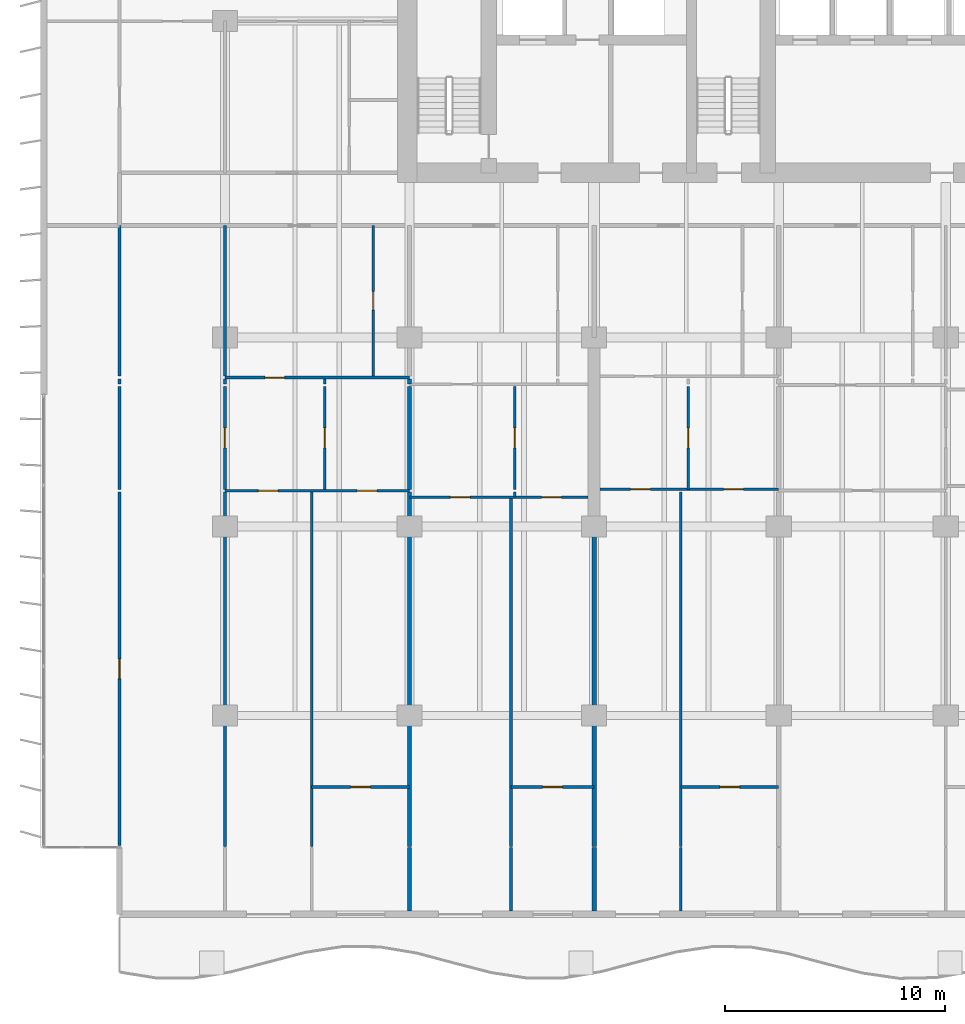
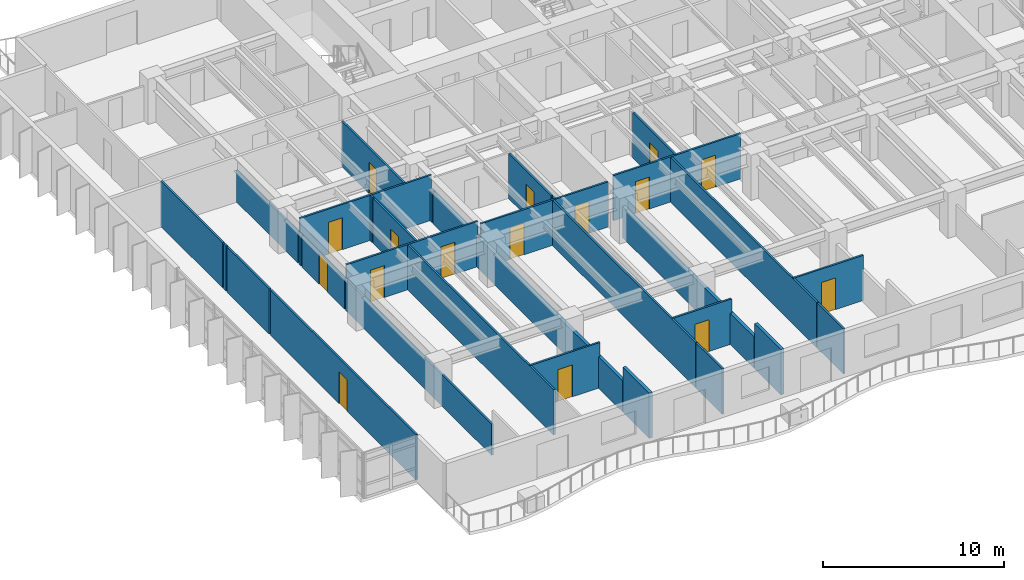
# One storey, part 6 of 17: 32 walls, 16 doors, 16 openings.
"""IFC4 building model written with IfcOpenShell, lengths in metres."""

from ifc_helpers import new_model, si_unit, direction, frame, frame_2d, origin, place, context, subcontext, project, spatial, rectangle, extrude, material, layer, layer_set, type_object, element, fill, save


model = new_model("IFC4")

# Units and contexts
model_context = context("Model", 3, precision=1e-05, world=origin(), true_north=direction((0.0, 1.0)))
body_context = subcontext(model_context, "Body", "Model", "MODEL_VIEW")
ifc_project = project(units=[si_unit("LENGTHUNIT", "METRE"), si_unit("AREAUNIT", "SQUARE_METRE"), si_unit("VOLUMEUNIT", "CUBIC_METRE"), si_unit("PLANEANGLEUNIT", "RADIAN"), si_unit("MASSUNIT", "GRAM", prefix="KILO")], contexts=[model_context])

# Site, building, storey
site_placement = place(None, origin())
site = spatial("IfcSite", under=ifc_project, at=site_placement, CompositionType="ELEMENT")
building_placement = place(site_placement, origin())
building = spatial("IfcBuilding", under=site, at=building_placement, Name="Caelmar Bay Residences", CompositionType="ELEMENT")
storey_placement = place(building_placement, frame((0.0, 0.0, 33.300048828125)))
storey = spatial("IfcBuildingStorey", under=building, at=storey_placement, Name="L07", CompositionType="ELEMENT", Elevation=33.300048828125)

# Wall, opening, door
ifc_material_1 = material(Name="Acoustic metal-stud gypsum partition 120 mm")
ifc_layer_1 = layer(ifc_material_1, 0.1201171875)
ifc_layer_set_1 = layer_set([ifc_layer_1], Name="Acoustic metal-stud gypsum partition 120 mm")
wall_type_1 = type_object("IfcWallType", Name="W-PRT-120", PredefinedType="PARTITIONING", material=ifc_layer_set_1)
wall_1_placement = place(storey_placement, frame((5.10009765625, 6.284912109375, 0.0), z_axis=(0.0, 0.0, 1.0), x_axis=(0.0, 1.0, 0.0)))
wall_1 = element("IfcWall", 1, at=wall_1_placement, inside=storey, type_object=wall_type_1, Name="L07 Partition Wall V001", PredefinedType="PARTITIONING", context=body_context, shape_type="SweptSolid", body=[
    extrude(rectangle(XDim=16.085205078125, YDim=0.1201171875, at=frame_2d((8.04248046875, 0.0))), origin(), (0.0, 0.0, 1.0), 3.050048828125),
])
opening_1_placement = place(wall_1_placement, frame((7.592529296875, 0.0, 0.0)))
opening_1 = element("IfcOpeningElement", 2, at=opening_1_placement, cuts=wall_1, Name="Opening D-L07-165", PredefinedType="OPENING", context=body_context, shape_type="SweptSolid", body=[
    extrude(rectangle(XDim=0.89990234375, YDim=2.14990234375, at=frame_2d((0.449951171875, 1.074951171875))), frame((0.0, 0.070068359375, 0.0), z_axis=(0.0, -1.0, 0.0), x_axis=(1.0, 0.0, 0.0)), (0.0, 0.0, 1.0), 0.14013671875),
])
ifc_material_2 = material(Name="Solid walnut timber interior door leaf and frame", Category="wood")
ifc_layer_2 = layer(ifc_material_2, 0.050048828125)
ifc_layer_set_2 = layer_set([ifc_layer_2], Name="Solid walnut timber interior door leaf and frame")
door_type_1 = type_object("IfcDoorType", Name="D-ROOM-900", OperationType="NOTDEFINED", PredefinedType="DOOR", material=ifc_layer_set_2)
door_1_placement = place(opening_1_placement, origin())
door_1 = element("IfcDoor", 3, at=door_1_placement, inside=storey, type_object=door_type_1, Name="L07 Residence 01 Penthouse West Salon Door", OperationType="SINGLE_SWING_RIGHT", OverallHeight=2.14990234375, OverallWidth=0.89990234375, PredefinedType="DOOR", context=body_context, shape_type="SweptSolid", body=[
    extrude(rectangle(XDim=0.89990234375, YDim=2.14990234375, at=frame_2d((0.449951171875, 1.074951171875))), frame((0.0, 0.02490234375, 0.0), z_axis=(0.0, -1.0, 0.0), x_axis=(1.0, 0.0, 0.0)), (0.0, 0.0, 1.0), 0.050048828125),
])
fill(opening_1, door_1)

# Walls
wall_2_placement = place(storey_placement, frame((5.10009765625, 22.489990234375, 0.0), z_axis=(0.0, 0.0, 1.0), x_axis=(0.0, 1.0, 0.0)))
element("IfcWall", 4, at=wall_2_placement, inside=storey, type_object=wall_type_1, Name="L07 Partition Wall V002", PredefinedType="PARTITIONING", context=body_context, shape_type="SweptSolid", body=[
    extrude(rectangle(XDim=4.68994140625, YDim=0.1201171875, at=frame_2d((2.344970703125, 0.0))), origin(), (0.0, 0.0, 1.0), 3.050048828125),
])
wall_3_placement = place(storey_placement, frame((5.10009765625, 27.280029296875, 0.0), z_axis=(0.0, 0.0, 1.0), x_axis=(0.0, 1.0, 0.0)))
element("IfcWall", 5, at=wall_3_placement, inside=storey, type_object=wall_type_1, Name="L07 Partition Wall V003", PredefinedType="PARTITIONING", context=body_context, shape_type="SweptSolid", body=[
    extrude(rectangle(XDim=0.239990234375, YDim=0.1201171875, at=frame_2d((0.1201171875, 0.0))), origin(), (0.0, 0.0, 1.0), 3.050048828125),
])
wall_4_placement = place(storey_placement, frame((5.10009765625, 27.639892578125, 0.0), z_axis=(0.0, 0.0, 1.0), x_axis=(0.0, 1.0, 0.0)))
element("IfcWall", 6, at=wall_4_placement, inside=storey, type_object=wall_type_1, Name="L07 Partition Wall V004", PredefinedType="PARTITIONING", context=body_context, shape_type="SweptSolid", body=[
    extrude(rectangle(XDim=6.860107421875, YDim=0.1201171875, at=frame_2d((3.43017578125, 0.0))), origin(), (0.0, 0.0, 1.0), 3.050048828125),
])
wall_5_placement = place(storey_placement, frame((9.89990234375, 6.239990234375, 0.0), z_axis=(0.0, 0.0, 1.0), x_axis=(0.0, 1.0, 0.0)))
element("IfcWall", 7, at=wall_5_placement, inside=storey, type_object=wall_type_1, Name="L07 Partition Wall V008", PredefinedType="PARTITIONING", context=body_context, shape_type="SweptSolid", body=[
    extrude(rectangle(XDim=16.130126953125, YDim=0.1201171875, at=frame_2d((8.06494140625, 0.0))), origin(), (0.0, 0.0, 1.0), 2.10986328125),
])

# Wall, opening, door
wall_6_placement = place(storey_placement, frame((9.89990234375, 22.489990234375, 0.0), z_axis=(0.0, 0.0, 1.0), x_axis=(0.0, 1.0, 0.0)))
wall_6 = element("IfcWall", 8, at=wall_6_placement, inside=storey, type_object=wall_type_1, Name="L07 Partition Wall V009", PredefinedType="PARTITIONING", context=body_context, shape_type="SweptSolid", body=[
    extrude(rectangle(XDim=4.68994140625, YDim=0.1201171875, at=frame_2d((2.344970703125, 0.0))), origin(), (0.0, 0.0, 1.0), 2.10986328125),
])
opening_2_placement = place(wall_6_placement, frame((1.89501953125, 0.0, 0.0)))
opening_2 = element("IfcOpeningElement", 9, at=opening_2_placement, cuts=wall_6, Name="Opening D-L07-126", PredefinedType="OPENING", context=body_context, shape_type="SweptSolid", body=[
    extrude(rectangle(XDim=0.89990234375, YDim=2.06005859375, at=frame_2d((0.449951171875, 1.030029296875))), frame((0.0, 0.070068359375, 0.0), z_axis=(0.0, -1.0, 0.0), x_axis=(1.0, 0.0, 0.0)), (0.0, 0.0, 1.0), 0.14013671875),
])
door_2_placement = place(opening_2_placement, origin())
door_2 = element("IfcDoor", 10, at=door_2_placement, inside=storey, type_object=door_type_1, Name="L07 Residence 01 West Apartment Hall Door", OperationType="SINGLE_SWING_LEFT", OverallHeight=2.06005859375, OverallWidth=0.89990234375, PredefinedType="DOOR", context=body_context, shape_type="SweptSolid", body=[
    extrude(rectangle(XDim=0.89990234375, YDim=2.06005859375, at=frame_2d((0.449951171875, 1.030029296875))), frame((0.0, 0.02490234375, 0.0), z_axis=(0.0, -1.0, 0.0), x_axis=(1.0, 0.0, 0.0)), (0.0, 0.0, 1.0), 0.050048828125),
])
fill(opening_2, door_2)

# Walls
wall_7_placement = place(storey_placement, frame((9.89990234375, 27.280029296875, 0.0), z_axis=(0.0, 0.0, 1.0), x_axis=(0.0, 1.0, 0.0)))
element("IfcWall", 11, at=wall_7_placement, inside=storey, type_object=wall_type_1, Name="L07 Partition Wall V010", PredefinedType="PARTITIONING", context=body_context, shape_type="SweptSolid", body=[
    extrude(rectangle(XDim=0.239990234375, YDim=0.1201171875, at=frame_2d((0.1201171875, 0.0))), origin(), (0.0, 0.0, 1.0), 2.10986328125),
])
wall_8_placement = place(storey_placement, frame((9.89990234375, 27.639892578125, 0.0), z_axis=(0.0, 0.0, 1.0), x_axis=(0.0, 1.0, 0.0)))
element("IfcWall", 12, at=wall_8_placement, inside=storey, type_object=wall_type_1, Name="L07 Partition Wall V011", PredefinedType="PARTITIONING", context=body_context, shape_type="SweptSolid", body=[
    extrude(rectangle(XDim=6.860107421875, YDim=0.1201171875, at=frame_2d((3.43017578125, 0.0))), origin(), (0.0, 0.0, 1.0), 2.10986328125),
])
wall_9_placement = place(storey_placement, frame((13.847900390625, 6.239990234375, 0.0), z_axis=(0.0, 0.0, 1.0), x_axis=(0.0, 1.0, 0.0)))
element("IfcWall", 13, at=wall_9_placement, inside=storey, type_object=wall_type_1, Name="L07 Partition Wall V014", PredefinedType="PARTITIONING", context=body_context, shape_type="SweptSolid", body=[
    extrude(rectangle(XDim=16.130126953125, YDim=0.1201171875, at=frame_2d((8.06494140625, 0.0))), origin(), (0.0, 0.0, 1.0), 3.050048828125),
])

# Wall, opening, door
wall_10_placement = place(storey_placement, frame((14.43603515625, 22.489990234375, 0.0), z_axis=(0.0, 0.0, 1.0), x_axis=(0.0, 1.0, 0.0)))
wall_10 = element("IfcWall", 14, at=wall_10_placement, inside=storey, type_object=wall_type_1, Name="L07 Partition Wall V015", PredefinedType="PARTITIONING", context=body_context, shape_type="SweptSolid", body=[
    extrude(rectangle(XDim=4.68994140625, YDim=0.1201171875, at=frame_2d((2.344970703125, 0.0))), origin(), (0.0, 0.0, 1.0), 3.050048828125),
])
opening_3_placement = place(wall_10_placement, frame((1.89501953125, 0.0, 0.0)))
opening_3 = element("IfcOpeningElement", 15, at=opening_3_placement, cuts=wall_10, Name="Opening D-L07-122", PredefinedType="OPENING", context=body_context, shape_type="SweptSolid", body=[
    extrude(rectangle(XDim=0.89990234375, YDim=2.14990234375, at=frame_2d((0.449951171875, 1.074951171875))), frame((0.0, 0.070068359375, 0.0), z_axis=(0.0, -1.0, 0.0), x_axis=(1.0, 0.0, 0.0)), (0.0, 0.0, 1.0), 0.14013671875),
])
door_3_placement = place(opening_3_placement, origin())
door_3 = element("IfcDoor", 16, at=door_3_placement, inside=storey, type_object=door_type_1, Name="L07 Residence 01 Study Door", OperationType="SINGLE_SWING_LEFT", OverallHeight=2.14990234375, OverallWidth=0.89990234375, PredefinedType="DOOR", context=body_context, shape_type="SweptSolid", body=[
    extrude(rectangle(XDim=0.89990234375, YDim=2.14990234375, at=frame_2d((0.449951171875, 1.074951171875))), frame((0.0, 0.02490234375, 0.0), z_axis=(0.0, -1.0, 0.0), x_axis=(1.0, 0.0, 0.0)), (0.0, 0.0, 1.0), 0.050048828125),
])
fill(opening_3, door_3)

# Wall
wall_11_placement = place(storey_placement, frame((14.43603515625, 27.280029296875, 0.0), z_axis=(0.0, 0.0, 1.0), x_axis=(0.0, 1.0, 0.0)))
element("IfcWall", 17, at=wall_11_placement, inside=storey, type_object=wall_type_1, Name="L07 Partition Wall V016", PredefinedType="PARTITIONING", context=body_context, shape_type="SweptSolid", body=[
    extrude(rectangle(XDim=0.239990234375, YDim=0.1201171875, at=frame_2d((0.1201171875, 0.0))), origin(), (0.0, 0.0, 1.0), 3.050048828125),
])

# Wall, opening, door
wall_12_placement = place(storey_placement, frame((16.64990234375, 27.639892578125, 0.0), z_axis=(0.0, 0.0, 1.0), x_axis=(0.0, 1.0, 0.0)))
wall_12 = element("IfcWall", 18, at=wall_12_placement, inside=storey, type_object=wall_type_1, Name="L07 Partition Wall V018", PredefinedType="PARTITIONING", context=body_context, shape_type="SweptSolid", body=[
    extrude(rectangle(XDim=6.860107421875, YDim=0.1201171875, at=frame_2d((3.43017578125, 0.0))), origin(), (0.0, 0.0, 1.0), 3.050048828125),
])
opening_4_placement = place(wall_12_placement, frame((3.0048828125, 0.0, 0.0)))
opening_4 = element("IfcOpeningElement", 19, at=opening_4_placement, cuts=wall_12, Name="Opening D-L07-120", PredefinedType="OPENING", context=body_context, shape_type="SweptSolid", body=[
    extrude(rectangle(XDim=0.85009765625, YDim=2.10009765625, at=frame_2d((0.425048828125, 1.050048828125))), frame((0.0, 0.070068359375, 0.0), z_axis=(0.0, -1.0, 0.0), x_axis=(1.0, 0.0, 0.0)), (0.0, 0.0, 1.0), 0.14013671875),
])
ifc_layer_3 = layer(ifc_material_2, 0.050048828125)
ifc_layer_set_3 = layer_set([ifc_layer_3], Name="Solid walnut timber interior door leaf and frame")
door_type_2 = type_object("IfcDoorType", Name="D-BATH-850", OperationType="NOTDEFINED", PredefinedType="DOOR", material=ifc_layer_set_3)
door_4_placement = place(opening_4_placement, origin())
door_4 = element("IfcDoor", 20, at=door_4_placement, inside=storey, type_object=door_type_2, Name="L07 Residence 01 Bathroom Door", OperationType="SINGLE_SWING_LEFT", OverallHeight=2.10009765625, OverallWidth=0.85009765625, PredefinedType="DOOR", context=body_context, shape_type="SweptSolid", body=[
    extrude(rectangle(XDim=0.85009765625, YDim=2.10009765625, at=frame_2d((0.425048828125, 1.050048828125))), frame((0.0, 0.02490234375, 0.0), z_axis=(0.0, -1.0, 0.0), x_axis=(1.0, 0.0, 0.0)), (0.0, 0.0, 1.0), 0.050048828125),
])
fill(opening_4, door_4)

# Walls
wall_13_placement = place(storey_placement, frame((22.919921875, 3.294921875, 0.0), z_axis=(0.0, 0.0, 1.0), x_axis=(0.0, 1.0, 0.0)))
element("IfcWall", 21, at=wall_13_placement, inside=storey, type_object=wall_type_1, Name="L07 Partition Wall V025", PredefinedType="PARTITIONING", context=body_context, shape_type="SweptSolid", body=[
    extrude(rectangle(XDim=2.905029296875, YDim=0.1201171875, at=frame_2d((1.45263671875, 0.0))), origin(), (0.0, 0.0, 1.0), 3.050048828125),
])
wall_14_placement = place(storey_placement, frame((22.919921875, 6.239990234375, 0.0), z_axis=(0.0, 0.0, 1.0), x_axis=(0.0, 1.0, 0.0)))
element("IfcWall", 22, at=wall_14_placement, inside=storey, type_object=wall_type_1, Name="L07 Partition Wall V026", PredefinedType="PARTITIONING", context=body_context, shape_type="SweptSolid", body=[
    extrude(rectangle(XDim=15.889892578125, YDim=0.1201171875, at=frame_2d((7.94482421875, 0.0))), origin(), (0.0, 0.0, 1.0), 3.050048828125),
])
wall_15_placement = place(storey_placement, frame((23.0859375, 22.135009765625, 0.0), z_axis=(0.0, 0.0, 1.0), x_axis=(0.0, 1.0, 0.0)))
element("IfcWall", 23, at=wall_15_placement, inside=storey, type_object=wall_type_1, Name="L07 Partition Wall V027", PredefinedType="PARTITIONING", context=body_context, shape_type="SweptSolid", body=[
    extrude(rectangle(XDim=0.235107421875, YDim=0.1201171875, at=frame_2d((0.11767578125, 0.0))), origin(), (0.0, 0.0, 1.0), 3.050048828125),
])

# Wall, opening, door
wall_16_placement = place(storey_placement, frame((23.0859375, 22.489990234375, 0.0), z_axis=(0.0, 0.0, 1.0), x_axis=(0.0, 1.0, 0.0)))
wall_16 = element("IfcWall", 24, at=wall_16_placement, inside=storey, type_object=wall_type_1, Name="L07 Partition Wall V028", PredefinedType="PARTITIONING", context=body_context, shape_type="SweptSolid", body=[
    extrude(rectangle(XDim=4.68994140625, YDim=0.1201171875, at=frame_2d((2.344970703125, 0.0))), origin(), (0.0, 0.0, 1.0), 3.050048828125),
])
opening_5_placement = place(wall_16_placement, frame((1.89501953125, 0.0, 0.0)))
opening_5 = element("IfcOpeningElement", 25, at=opening_5_placement, cuts=wall_16, Name="Opening D-L07-130", PredefinedType="OPENING", context=body_context, shape_type="SweptSolid", body=[
    extrude(rectangle(XDim=0.89990234375, YDim=2.14990234375, at=frame_2d((0.449951171875, 1.074951171875))), frame((0.0, 0.070068359375, 0.0), z_axis=(0.0, -1.0, 0.0), x_axis=(1.0, 0.0, 0.0)), (0.0, 0.0, 1.0), 0.14013671875),
])
door_5_placement = place(opening_5_placement, origin())
door_5 = element("IfcDoor", 26, at=door_5_placement, inside=storey, type_object=door_type_1, Name="L07 Residence 02 Study Door", OperationType="SINGLE_SWING_LEFT", OverallHeight=2.14990234375, OverallWidth=0.89990234375, PredefinedType="DOOR", context=body_context, shape_type="SweptSolid", body=[
    extrude(rectangle(XDim=0.89990234375, YDim=2.14990234375, at=frame_2d((0.449951171875, 1.074951171875))), frame((0.0, 0.02490234375, 0.0), z_axis=(0.0, -1.0, 0.0), x_axis=(1.0, 0.0, 0.0)), (0.0, 0.0, 1.0), 0.050048828125),
])
fill(opening_5, door_5)

# Walls
wall_17_placement = place(storey_placement, frame((30.64794921875, 3.294921875, 0.0), z_axis=(0.0, 0.0, 1.0), x_axis=(0.0, 1.0, 0.0)))
element("IfcWall", 27, at=wall_17_placement, inside=storey, type_object=wall_type_1, Name="L07 Partition Wall V037", PredefinedType="PARTITIONING", context=body_context, shape_type="SweptSolid", body=[
    extrude(rectangle(XDim=2.905029296875, YDim=0.1201171875, at=frame_2d((1.45263671875, 0.0))), origin(), (0.0, 0.0, 1.0), 3.050048828125),
])
wall_18_placement = place(storey_placement, frame((30.64794921875, 6.239990234375, 0.0), z_axis=(0.0, 0.0, 1.0), x_axis=(0.0, 1.0, 0.0)))
element("IfcWall", 28, at=wall_18_placement, inside=storey, type_object=wall_type_1, Name="L07 Partition Wall V038", PredefinedType="PARTITIONING", context=body_context, shape_type="SweptSolid", body=[
    extrude(rectangle(XDim=16.130126953125, YDim=0.1201171875, at=frame_2d((8.06494140625, 0.0))), origin(), (0.0, 0.0, 1.0), 3.050048828125),
])

# Wall, opening, door
wall_19_placement = place(storey_placement, frame((30.986083984375, 22.489990234375, 0.0), z_axis=(0.0, 0.0, 1.0), x_axis=(0.0, 1.0, 0.0)))
wall_19 = element("IfcWall", 29, at=wall_19_placement, inside=storey, type_object=wall_type_1, Name="L07 Partition Wall V039", PredefinedType="PARTITIONING", context=body_context, shape_type="SweptSolid", body=[
    extrude(rectangle(XDim=4.68994140625, YDim=0.1201171875, at=frame_2d((2.344970703125, 0.0))), origin(), (0.0, 0.0, 1.0), 3.050048828125),
])
opening_6_placement = place(wall_19_placement, frame((1.89501953125, 0.0, 0.0)))
opening_6 = element("IfcOpeningElement", 30, at=opening_6_placement, cuts=wall_19, Name="Opening D-L07-137", PredefinedType="OPENING", context=body_context, shape_type="SweptSolid", body=[
    extrude(rectangle(XDim=0.89990234375, YDim=2.14990234375, at=frame_2d((0.449951171875, 1.074951171875))), frame((0.0, 0.070068359375, 0.0), z_axis=(0.0, -1.0, 0.0), x_axis=(1.0, 0.0, 0.0)), (0.0, 0.0, 1.0), 0.14013671875),
])
door_6_placement = place(opening_6_placement, origin())
door_6 = element("IfcDoor", 31, at=door_6_placement, inside=storey, type_object=door_type_1, Name="L07 Residence 03 Study Door", OperationType="SINGLE_SWING_RIGHT", OverallHeight=2.14990234375, OverallWidth=0.89990234375, PredefinedType="DOOR", context=body_context, shape_type="SweptSolid", body=[
    extrude(rectangle(XDim=0.89990234375, YDim=2.14990234375, at=frame_2d((0.449951171875, 1.074951171875))), frame((0.0, 0.02490234375, 0.0), z_axis=(0.0, -1.0, 0.0), x_axis=(1.0, 0.0, 0.0)), (0.0, 0.0, 1.0), 0.050048828125),
])
fill(opening_6, door_6)

wall_20_placement = place(storey_placement, frame((13.847900390625, 8.949951171875, 0.0), z_axis=(0.0, 0.0, 1.0), x_axis=(1.0, 0.0, 0.0)))
wall_20 = element("IfcWall", 32, at=wall_20_placement, inside=storey, type_object=wall_type_1, Name="L07 Partition Wall H100", PredefinedType="PARTITIONING", context=body_context, shape_type="SweptSolid", body=[
    extrude(rectangle(XDim=4.4521484375, YDim=0.1201171875, at=frame_2d((2.22607421875, 0.0))), origin(), (0.0, 0.0, 1.0), 3.050048828125),
])
opening_7_placement = place(wall_20_placement, frame((1.77587890625, 0.0, 0.0)))
opening_7 = element("IfcOpeningElement", 33, at=opening_7_placement, cuts=wall_20, Name="Opening D-L07-125", PredefinedType="OPENING", context=body_context, shape_type="SweptSolid", body=[
    extrude(rectangle(XDim=0.89990234375, YDim=2.14990234375, at=frame_2d((0.449951171875, 1.074951171875))), frame((0.0, 0.070068359375, 0.0), z_axis=(0.0, -1.0, 0.0), x_axis=(1.0, 0.0, 0.0)), (0.0, 0.0, 1.0), 0.14013671875),
])
door_7_placement = place(opening_7_placement, origin())
door_7 = element("IfcDoor", 34, at=door_7_placement, inside=storey, type_object=door_type_1, Name="L07 Residence 01 Primary Bedroom Door", OperationType="SINGLE_SWING_RIGHT", OverallHeight=2.14990234375, OverallWidth=0.89990234375, PredefinedType="DOOR", context=body_context, shape_type="SweptSolid", body=[
    extrude(rectangle(XDim=0.89990234375, YDim=2.14990234375, at=frame_2d((0.449951171875, 1.074951171875))), frame((0.0, 0.02490234375, 0.0), z_axis=(0.0, -1.0, 0.0), x_axis=(1.0, 0.0, 0.0)), (0.0, 0.0, 1.0), 0.050048828125),
])
fill(opening_7, door_7)

wall_21_placement = place(storey_placement, frame((22.919921875, 8.949951171875, 0.0), z_axis=(0.0, 0.0, 1.0), x_axis=(1.0, 0.0, 0.0)))
wall_21 = element("IfcWall", 35, at=wall_21_placement, inside=storey, type_object=wall_type_1, Name="L07 Partition Wall H101", PredefinedType="PARTITIONING", context=body_context, shape_type="SweptSolid", body=[
    extrude(rectangle(XDim=3.780029296875, YDim=0.1201171875, at=frame_2d((1.89013671875, 0.0))), origin(), (0.0, 0.0, 1.0), 3.050048828125),
])
opening_8_placement = place(wall_21_placement, frame((1.43994140625, 0.0, 0.0)))
opening_8 = element("IfcOpeningElement", 36, at=opening_8_placement, cuts=wall_21, Name="Opening D-L07-133", PredefinedType="OPENING", context=body_context, shape_type="SweptSolid", body=[
    extrude(rectangle(XDim=0.89990234375, YDim=2.14990234375, at=frame_2d((0.449951171875, 1.074951171875))), frame((0.0, 0.070068359375, 0.0), z_axis=(0.0, -1.0, 0.0), x_axis=(1.0, 0.0, 0.0)), (0.0, 0.0, 1.0), 0.14013671875),
])
door_8_placement = place(opening_8_placement, origin())
door_8 = element("IfcDoor", 37, at=door_8_placement, inside=storey, type_object=door_type_1, Name="L07 Residence 02 Primary Bedroom Door", OperationType="SINGLE_SWING_RIGHT", OverallHeight=2.14990234375, OverallWidth=0.89990234375, PredefinedType="DOOR", context=body_context, shape_type="SweptSolid", body=[
    extrude(rectangle(XDim=0.89990234375, YDim=2.14990234375, at=frame_2d((0.449951171875, 1.074951171875))), frame((0.0, 0.02490234375, 0.0), z_axis=(0.0, -1.0, 0.0), x_axis=(1.0, 0.0, 0.0)), (0.0, 0.0, 1.0), 0.050048828125),
])
fill(opening_8, door_8)

wall_22_placement = place(storey_placement, frame((30.64794921875, 8.949951171875, 0.0), z_axis=(0.0, 0.0, 1.0), x_axis=(1.0, 0.0, 0.0)))
wall_22 = element("IfcWall", 38, at=wall_22_placement, inside=storey, type_object=wall_type_1, Name="L07 Partition Wall H102", PredefinedType="PARTITIONING", context=body_context, shape_type="SweptSolid", body=[
    extrude(rectangle(XDim=4.4521484375, YDim=0.1201171875, at=frame_2d((2.22607421875, 0.0))), origin(), (0.0, 0.0, 1.0), 3.050048828125),
])
opening_9_placement = place(wall_22_placement, frame((1.77587890625, 0.0, 0.0)))
opening_9 = element("IfcOpeningElement", 39, at=opening_9_placement, cuts=wall_22, Name="Opening D-L07-140", PredefinedType="OPENING", context=body_context, shape_type="SweptSolid", body=[
    extrude(rectangle(XDim=0.89990234375, YDim=2.14990234375, at=frame_2d((0.449951171875, 1.074951171875))), frame((0.0, 0.070068359375, 0.0), z_axis=(0.0, -1.0, 0.0), x_axis=(1.0, 0.0, 0.0)), (0.0, 0.0, 1.0), 0.14013671875),
])
door_9_placement = place(opening_9_placement, origin())
door_9 = element("IfcDoor", 40, at=door_9_placement, inside=storey, type_object=door_type_1, Name="L07 Residence 03 Primary Bedroom Door", OperationType="SINGLE_SWING_LEFT", OverallHeight=2.14990234375, OverallWidth=0.89990234375, PredefinedType="DOOR", context=body_context, shape_type="SweptSolid", body=[
    extrude(rectangle(XDim=0.89990234375, YDim=2.14990234375, at=frame_2d((0.449951171875, 1.074951171875))), frame((0.0, 0.02490234375, 0.0), z_axis=(0.0, -1.0, 0.0), x_axis=(1.0, 0.0, 0.0)), (0.0, 0.0, 1.0), 0.050048828125),
])
fill(opening_9, door_9)

# Wall, openings, doors
wall_23_placement = place(storey_placement, frame((18.300048828125, 22.1298828125, 0.0), z_axis=(0.0, 0.0, 1.0), x_axis=(1.0, 0.0, 0.0)))
wall_23 = element("IfcWall", 41, at=wall_23_placement, inside=storey, type_object=wall_type_1, Name="L07 Partition Wall H108", PredefinedType="PARTITIONING", context=body_context, shape_type="SweptSolid", body=[
    extrude(rectangle(XDim=8.1298828125, YDim=0.1201171875, at=frame_2d((4.06494140625, 0.0))), origin(), (0.0, 0.0, 1.0), 3.050048828125),
])
opening_10_placement = place(wall_23_placement, frame((1.860107421875, 0.0, 0.0)))
opening_10 = element("IfcOpeningElement", 42, at=opening_10_placement, cuts=wall_23, Name="Opening D-L07-131", PredefinedType="OPENING", context=body_context, shape_type="SweptSolid", body=[
    extrude(rectangle(XDim=0.89990234375, YDim=2.14990234375, at=frame_2d((0.449951171875, 1.074951171875))), frame((0.0, 0.070068359375, 0.0), z_axis=(0.0, -1.0, 0.0), x_axis=(1.0, 0.0, 0.0)), (0.0, 0.0, 1.0), 0.14013671875),
])
opening_11_placement = place(wall_23_placement, frame((6.008056640625, 0.0, 0.0)))
opening_11 = element("IfcOpeningElement", 43, at=opening_11_placement, cuts=wall_23, Name="Opening D-L07-132", PredefinedType="OPENING", context=body_context, shape_type="SweptSolid", body=[
    extrude(rectangle(XDim=0.89990234375, YDim=2.14990234375, at=frame_2d((0.449951171875, 1.074951171875))), frame((0.0, 0.070068359375, 0.0), z_axis=(0.0, -1.0, 0.0), x_axis=(1.0, 0.0, 0.0)), (0.0, 0.0, 1.0), 0.14013671875),
])
door_10_placement = place(opening_10_placement, origin())
door_10 = element("IfcDoor", 44, at=door_10_placement, inside=storey, type_object=door_type_1, Name="L07 Residence 02 Penthouse Living Salon Door", OperationType="SINGLE_SWING_RIGHT", OverallHeight=2.14990234375, OverallWidth=0.89990234375, PredefinedType="DOOR", context=body_context, shape_type="SweptSolid", body=[
    extrude(rectangle(XDim=0.89990234375, YDim=2.14990234375, at=frame_2d((0.449951171875, 1.074951171875))), frame((0.0, 0.02490234375, 0.0), z_axis=(0.0, -1.0, 0.0), x_axis=(1.0, 0.0, 0.0)), (0.0, 0.0, 1.0), 0.050048828125),
])
fill(opening_10, door_10)
door_11_placement = place(opening_11_placement, origin())
door_11 = element("IfcDoor", 45, at=door_11_placement, inside=storey, type_object=door_type_1, Name="L07 Residence 02 Penthouse Sitting Room Door", OperationType="SINGLE_SWING_LEFT", OverallHeight=2.14990234375, OverallWidth=0.89990234375, PredefinedType="DOOR", context=body_context, shape_type="SweptSolid", body=[
    extrude(rectangle(XDim=0.89990234375, YDim=2.14990234375, at=frame_2d((0.449951171875, 1.074951171875))), frame((0.0, 0.02490234375, 0.0), z_axis=(0.0, -1.0, 0.0), x_axis=(1.0, 0.0, 0.0)), (0.0, 0.0, 1.0), 0.050048828125),
])
fill(opening_11, door_11)

wall_24_placement = place(storey_placement, frame((9.89990234375, 22.429931640625, 0.0), z_axis=(0.0, 0.0, 1.0), x_axis=(1.0, 0.0, 0.0)))
wall_24 = element("IfcWall", 46, at=wall_24_placement, inside=storey, type_object=wall_type_1, Name="L07 Partition Wall H111", PredefinedType="PARTITIONING", context=body_context, shape_type="SweptSolid", body=[
    extrude(rectangle(XDim=8.400146484375, YDim=0.1201171875, at=frame_2d((4.2001953125, 0.0))), origin(), (0.0, 0.0, 1.0), 3.050048828125),
])
opening_12_placement = place(wall_24_placement, frame((1.52392578125, 0.0, 0.0)))
opening_12 = element("IfcOpeningElement", 47, at=opening_12_placement, cuts=wall_24, Name="Opening D-L07-123", PredefinedType="OPENING", context=body_context, shape_type="SweptSolid", body=[
    extrude(rectangle(XDim=0.89990234375, YDim=2.14990234375, at=frame_2d((0.449951171875, 1.074951171875))), frame((0.0, 0.070068359375, 0.0), z_axis=(0.0, -1.0, 0.0), x_axis=(1.0, 0.0, 0.0)), (0.0, 0.0, 1.0), 0.14013671875),
])
opening_13_placement = place(wall_24_placement, frame((6.01806640625, 0.0, 0.0)))
opening_13 = element("IfcOpeningElement", 48, at=opening_13_placement, cuts=wall_24, Name="Opening D-L07-124", PredefinedType="OPENING", context=body_context, shape_type="SweptSolid", body=[
    extrude(rectangle(XDim=0.89990234375, YDim=2.14990234375, at=frame_2d((0.449951171875, 1.074951171875))), frame((0.0, 0.070068359375, 0.0), z_axis=(0.0, -1.0, 0.0), x_axis=(1.0, 0.0, 0.0)), (0.0, 0.0, 1.0), 0.14013671875),
])
door_12_placement = place(opening_12_placement, origin())
door_12 = element("IfcDoor", 49, at=door_12_placement, inside=storey, type_object=door_type_1, Name="L07 Residence 01 Penthouse Living Salon Door", OperationType="SINGLE_SWING_RIGHT", OverallHeight=2.14990234375, OverallWidth=0.89990234375, PredefinedType="DOOR", context=body_context, shape_type="SweptSolid", body=[
    extrude(rectangle(XDim=0.89990234375, YDim=2.14990234375, at=frame_2d((0.449951171875, 1.074951171875))), frame((0.0, 0.02490234375, 0.0), z_axis=(0.0, -1.0, 0.0), x_axis=(1.0, 0.0, 0.0)), (0.0, 0.0, 1.0), 0.050048828125),
])
fill(opening_12, door_12)
door_13_placement = place(opening_13_placement, origin())
door_13 = element("IfcDoor", 50, at=door_13_placement, inside=storey, type_object=door_type_1, Name="L07 Residence 01 Penthouse Sitting Room Door", OperationType="SINGLE_SWING_LEFT", OverallHeight=2.14990234375, OverallWidth=0.89990234375, PredefinedType="DOOR", context=body_context, shape_type="SweptSolid", body=[
    extrude(rectangle(XDim=0.89990234375, YDim=2.14990234375, at=frame_2d((0.449951171875, 1.074951171875))), frame((0.0, 0.02490234375, 0.0), z_axis=(0.0, -1.0, 0.0), x_axis=(1.0, 0.0, 0.0)), (0.0, 0.0, 1.0), 0.050048828125),
])
fill(opening_13, door_13)

wall_25_placement = place(storey_placement, frame((26.969970703125, 22.489990234375, 0.0), z_axis=(0.0, 0.0, 1.0), x_axis=(1.0, 0.0, 0.0)))
wall_25 = element("IfcWall", 51, at=wall_25_placement, inside=storey, type_object=wall_type_1, Name="L07 Partition Wall H113", PredefinedType="PARTITIONING", context=body_context, shape_type="SweptSolid", body=[
    extrude(rectangle(XDim=8.125, YDim=0.1201171875, at=frame_2d((4.0625, 0.0))), origin(), (0.0, 0.0, 1.0), 3.050048828125),
])
opening_14_placement = place(wall_25_placement, frame((1.388916015625, 0.0, 0.0)))
opening_14 = element("IfcOpeningElement", 52, at=opening_14_placement, cuts=wall_25, Name="Opening D-L07-138", PredefinedType="OPENING", context=body_context, shape_type="SweptSolid", body=[
    extrude(rectangle(XDim=0.89990234375, YDim=2.14990234375, at=frame_2d((0.449951171875, 1.074951171875))), frame((0.0, 0.070068359375, 0.0), z_axis=(0.0, -1.0, 0.0), x_axis=(1.0, 0.0, 0.0)), (0.0, 0.0, 1.0), 0.14013671875),
])
opening_15_placement = place(wall_25_placement, frame((5.62060546875, 0.0, 0.0)))
opening_15 = element("IfcOpeningElement", 53, at=opening_15_placement, cuts=wall_25, Name="Opening D-L07-139", PredefinedType="OPENING", context=body_context, shape_type="SweptSolid", body=[
    extrude(rectangle(XDim=0.89990234375, YDim=2.14990234375, at=frame_2d((0.449951171875, 1.074951171875))), frame((0.0, 0.070068359375, 0.0), z_axis=(0.0, -1.0, 0.0), x_axis=(1.0, 0.0, 0.0)), (0.0, 0.0, 1.0), 0.14013671875),
])
door_14_placement = place(opening_14_placement, origin())
door_14 = element("IfcDoor", 54, at=door_14_placement, inside=storey, type_object=door_type_1, Name="L07 Residence 03 Penthouse Living Salon Door", OperationType="SINGLE_SWING_LEFT", OverallHeight=2.14990234375, OverallWidth=0.89990234375, PredefinedType="DOOR", context=body_context, shape_type="SweptSolid", body=[
    extrude(rectangle(XDim=0.89990234375, YDim=2.14990234375, at=frame_2d((0.449951171875, 1.074951171875))), frame((0.0, 0.02490234375, 0.0), z_axis=(0.0, -1.0, 0.0), x_axis=(1.0, 0.0, 0.0)), (0.0, 0.0, 1.0), 0.050048828125),
])
fill(opening_14, door_14)
door_15_placement = place(opening_15_placement, origin())
door_15 = element("IfcDoor", 55, at=door_15_placement, inside=storey, type_object=door_type_1, Name="L07 Residence 03 Penthouse Sitting Room Door", OperationType="SINGLE_SWING_RIGHT", OverallHeight=2.14990234375, OverallWidth=0.89990234375, PredefinedType="DOOR", context=body_context, shape_type="SweptSolid", body=[
    extrude(rectangle(XDim=0.89990234375, YDim=2.14990234375, at=frame_2d((0.449951171875, 1.074951171875))), frame((0.0, 0.02490234375, 0.0), z_axis=(0.0, -1.0, 0.0), x_axis=(1.0, 0.0, 0.0)), (0.0, 0.0, 1.0), 0.050048828125),
])
fill(opening_15, door_15)

# Wall, opening, door
wall_26_placement = place(storey_placement, frame((9.89990234375, 27.580078125, 0.0), z_axis=(0.0, 0.0, 1.0), x_axis=(1.0, 0.0, 0.0)))
wall_26 = element("IfcWall", 56, at=wall_26_placement, inside=storey, type_object=wall_type_1, Name="L07 Partition Wall H121", PredefinedType="PARTITIONING", context=body_context, shape_type="SweptSolid", body=[
    extrude(rectangle(XDim=8.400146484375, YDim=0.1201171875, at=frame_2d((4.2001953125, 0.0))), origin(), (0.0, 0.0, 1.0), 3.050048828125),
])
opening_16_placement = place(wall_26_placement, frame((1.818115234375, 0.0, 0.0)))
opening_16 = element("IfcOpeningElement", 57, at=opening_16_placement, cuts=wall_26, Name="Opening D-L07-121", PredefinedType="OPENING", context=body_context, shape_type="SweptSolid", body=[
    extrude(rectangle(XDim=0.89990234375, YDim=2.14990234375, at=frame_2d((0.449951171875, 1.074951171875))), frame((0.0, 0.070068359375, 0.0), z_axis=(0.0, -1.0, 0.0), x_axis=(1.0, 0.0, 0.0)), (0.0, 0.0, 1.0), 0.14013671875),
])
door_16_placement = place(opening_16_placement, origin())
door_16 = element("IfcDoor", 58, at=door_16_placement, inside=storey, type_object=door_type_1, Name="L07 Residence 01 Kitchen Door", OperationType="SINGLE_SWING_RIGHT", OverallHeight=2.14990234375, OverallWidth=0.89990234375, PredefinedType="DOOR", context=body_context, shape_type="SweptSolid", body=[
    extrude(rectangle(XDim=0.89990234375, YDim=2.14990234375, at=frame_2d((0.449951171875, 1.074951171875))), frame((0.0, 0.02490234375, 0.0), z_axis=(0.0, -1.0, 0.0), x_axis=(1.0, 0.0, 0.0)), (0.0, 0.0, 1.0), 0.050048828125),
])
fill(opening_16, door_16)

# Walls
ifc_material_3 = material(Name="Acoustic twin-stud fire-rated inter-tenancy partition 200 mm")
ifc_layer_4 = layer(ifc_material_3, 0.199951171875)
ifc_layer_set_4 = layer_set([ifc_layer_4], Name="Acoustic twin-stud fire-rated inter-tenancy partition 200 mm")
wall_type_2 = type_object("IfcWallType", Name="W-PTY-200", PredefinedType="PARTITIONING", material=ifc_layer_set_4)
wall_27_placement = place(storey_placement, frame((18.300048828125, 3.294921875, 0.0), z_axis=(0.0, 0.0, 1.0), x_axis=(0.0, 1.0, 0.0)))
element("IfcWall", 59, at=wall_27_placement, inside=storey, type_object=wall_type_2, Name="L07 Partition Wall V019", PredefinedType="PARTITIONING", context=body_context, shape_type="SweptSolid", body=[
    extrude(rectangle(XDim=2.905029296875, YDim=0.199951171875, at=frame_2d((1.45263671875, 0.0))), origin(), (0.0, 0.0, 1.0), 3.050048828125),
])
wall_28_placement = place(storey_placement, frame((18.300048828125, 6.239990234375, 0.0), z_axis=(0.0, 0.0, 1.0), x_axis=(0.0, 1.0, 0.0)))
element("IfcWall", 60, at=wall_28_placement, inside=storey, type_object=wall_type_2, Name="L07 Partition Wall V020", PredefinedType="PARTITIONING", context=body_context, shape_type="SweptSolid", body=[
    extrude(rectangle(XDim=16.130126953125, YDim=0.199951171875, at=frame_2d((8.06494140625, 0.0))), origin(), (0.0, 0.0, 1.0), 2.10986328125),
])
wall_29_placement = place(storey_placement, frame((18.300048828125, 22.489990234375, 0.0), z_axis=(0.0, 0.0, 1.0), x_axis=(0.0, 1.0, 0.0)))
element("IfcWall", 61, at=wall_29_placement, inside=storey, type_object=wall_type_2, Name="L07 Partition Wall V021", PredefinedType="PARTITIONING", context=body_context, shape_type="SweptSolid", body=[
    extrude(rectangle(XDim=4.68994140625, YDim=0.199951171875, at=frame_2d((2.344970703125, 0.0))), origin(), (0.0, 0.0, 1.0), 2.10986328125),
])
wall_30_placement = place(storey_placement, frame((18.300048828125, 27.280029296875, 0.0), z_axis=(0.0, 0.0, 1.0), x_axis=(0.0, 1.0, 0.0)))
element("IfcWall", 62, at=wall_30_placement, inside=storey, type_object=wall_type_2, Name="L07 Partition Wall V022", PredefinedType="PARTITIONING", context=body_context, shape_type="SweptSolid", body=[
    extrude(rectangle(XDim=0.239990234375, YDim=0.199951171875, at=frame_2d((0.1201171875, 0.0))), origin(), (0.0, 0.0, 1.0), 2.10986328125),
])
wall_31_placement = place(storey_placement, frame((26.699951171875, 3.294921875, 0.0), z_axis=(0.0, 0.0, 1.0), x_axis=(0.0, 1.0, 0.0)))
element("IfcWall", 63, at=wall_31_placement, inside=storey, type_object=wall_type_2, Name="L07 Partition Wall V032", PredefinedType="PARTITIONING", context=body_context, shape_type="SweptSolid", body=[
    extrude(rectangle(XDim=2.905029296875, YDim=0.199951171875, at=frame_2d((1.45263671875, 0.0))), origin(), (0.0, 0.0, 1.0), 3.050048828125),
])
wall_32_placement = place(storey_placement, frame((26.699951171875, 6.239990234375, 0.0), z_axis=(0.0, 0.0, 1.0), x_axis=(0.0, 1.0, 0.0)))
element("IfcWall", 64, at=wall_32_placement, inside=storey, type_object=wall_type_2, Name="L07 Partition Wall V033", PredefinedType="PARTITIONING", context=body_context, shape_type="SweptSolid", body=[
    extrude(rectangle(XDim=14.554931640625, YDim=0.199951171875, at=frame_2d((7.27734375, 0.0))), origin(), (0.0, 0.0, 1.0), 2.10986328125),
])

save(model, "model.ifc")
